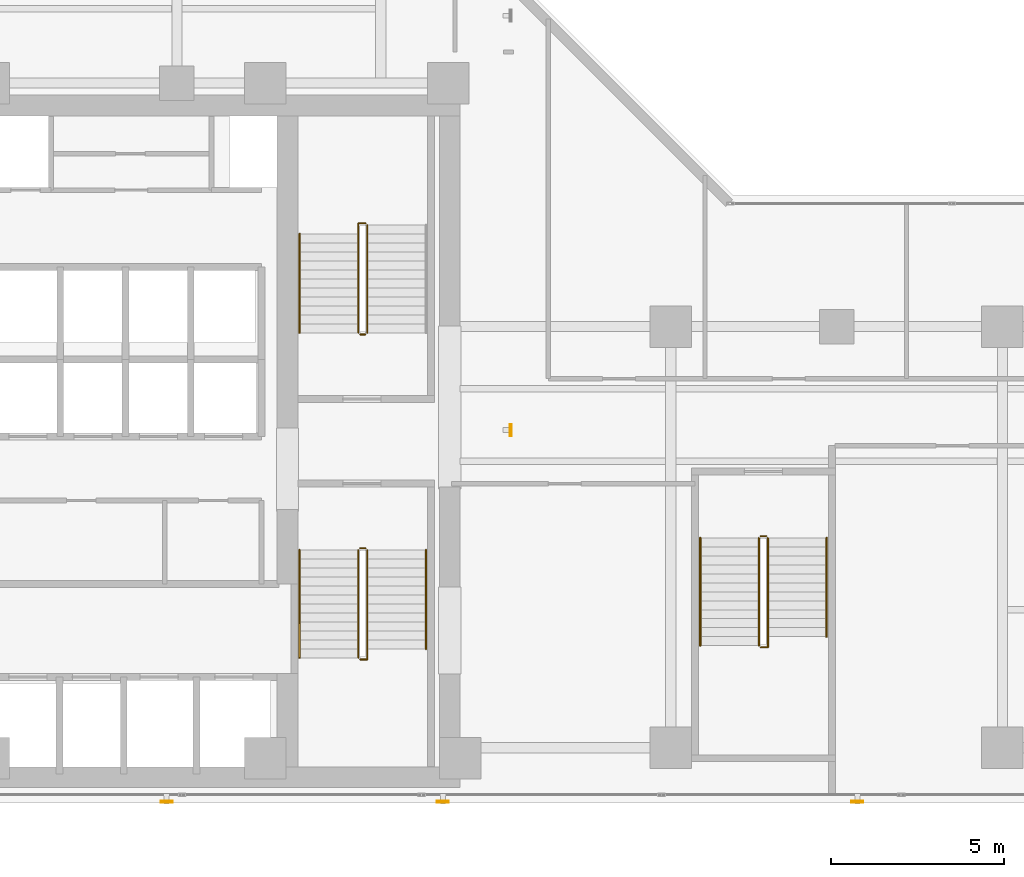
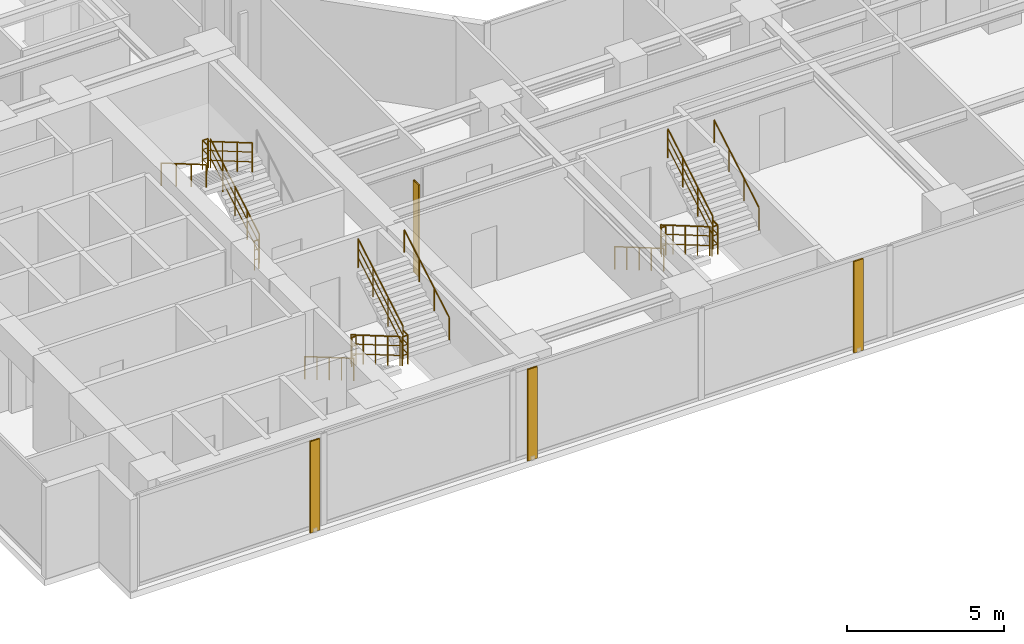
# One storey, part 23 of 26: 17 railings, 4 shading devices.
"""IFC4 building model written with IfcOpenShell, lengths in metres."""

import ifcopenshell
import ifcopenshell.guid

model = None  # the IFC model being written
_history = None  # IfcOwnerHistory: only IFC2X3 demands one
_inside = {}  # id of a spatial element -> (the spatial element, [elements in it])
_under = {}  # id of a project, library or spatial element -> (it, [spatial elements below it])
_declared = {}  # id of a project -> (the project, [libraries it declares])
_typed = {}  # id of a type object -> (the type object, [elements of that type])
_made_of = {}  # id of a material, layer set ... -> (it, [elements and type objects made of it])


def new_model(schema):
    """Start an empty IFC model of exactly this schema.

    Asked for "IFC4X3", IfcOpenShell would pick the latest addendum, in which some entities
    have other attributes; the version numbers below select the first issue.
    IFC2X3 requires an IfcOwnerHistory on every rooted entity: one is made here for all.
    """
    global model, _history
    if schema == "IFC4X3":
        model = ifcopenshell.file(schema_version=(4, 3, 0, 0))
    else:
        model = ifcopenshell.file(schema=schema)
    _inside.clear()
    _under.clear()
    _declared.clear()
    _typed.clear()
    _made_of.clear()
    _history = None
    if model.schema == "IFC2X3":
        org = make("IfcOrganization", Name="unknown")
        user = make(
            "IfcPersonAndOrganization",
            ThePerson=make("IfcPerson", FamilyName="unknown"),
            TheOrganization=org,
        )
        app = make(
            "IfcApplication",
            ApplicationDeveloper=org,
            Version="unknown",
            ApplicationFullName="unknown",
            ApplicationIdentifier="unknown",
        )
        _history = make(
            "IfcOwnerHistory",
            OwningUser=user,
            OwningApplication=app,
            ChangeAction="ADDED",
            CreationDate=0,
        )
    return model


def make(cls, **values):
    """One entity of the class cls with the attributes given. An attribute that is None is left unset."""
    return model.create_entity(
        cls, **{name: value for name, value in values.items() if value is not None}
    )


def rooted(cls, **values):
    """An entity with a GlobalId (a new one), such as an element, a storey or a relation."""
    return make(cls, GlobalId=ifcopenshell.guid.new(), OwnerHistory=_history, **values)


def si_unit(unit_type, name, prefix=None):
    """IfcSIUnit, for example si_unit("LENGTHUNIT", "METRE", prefix="MILLI")."""
    return make("IfcSIUnit", UnitType=unit_type, Prefix=prefix, Name=name)


def assignment(units):
    """IfcUnitAssignment: the units of a project."""
    return None if units is None else make("IfcUnitAssignment", Units=units)


def point(xyz):
    """IfcCartesianPoint."""
    return None if xyz is None else make("IfcCartesianPoint", Coordinates=xyz)


def direction(xyz):
    """IfcDirection."""
    return None if xyz is None else make("IfcDirection", DirectionRatios=xyz)


def frame(location, z_axis=None, x_axis=None):
    """IfcAxis2Placement3D, a coordinate frame: its origin and axes. An axis left out is left unset."""
    return make(
        "IfcAxis2Placement3D",
        Location=point(location),
        Axis=direction(z_axis),
        RefDirection=direction(x_axis),
    )


def frame_2d(location, x_axis=None):
    """IfcAxis2Placement2D, a coordinate frame in the plane: its origin and x axis."""
    return make(
        "IfcAxis2Placement2D", Location=point(location), RefDirection=direction(x_axis)
    )


def origin():
    """The frame at (0, 0, 0) with its axes left unset."""
    return frame((0.0, 0.0, 0.0))


def origin_2d():
    """The frame at (0, 0) in the plane with its x axis left unset."""
    return frame_2d((0.0, 0.0))


def place(relative_to, where):
    """IfcLocalPlacement: puts the frame where relative to a parent placement (None: the world)."""
    return make(
        "IfcLocalPlacement", PlacementRelTo=relative_to, RelativePlacement=where
    )


def context(
    kind, dimensions, precision=None, world=None, true_north=None, identifier=None
):
    """IfcGeometricRepresentationContext, for example the 3D "Model" context."""
    return make(
        "IfcGeometricRepresentationContext",
        ContextIdentifier=identifier,
        ContextType=kind,
        CoordinateSpaceDimension=dimensions,
        Precision=precision,
        WorldCoordinateSystem=world,
        TrueNorth=true_north,
    )


def subcontext(parent, identifier, kind, view, scale=None):
    """IfcGeometricRepresentationSubContext, for example "Body" below "Model"."""
    return make(
        "IfcGeometricRepresentationSubContext",
        ContextIdentifier=identifier,
        ContextType=kind,
        ParentContext=parent,
        TargetScale=scale,
        TargetView=view,
    )


def project(units=None, contexts=None):
    """IfcProject with its units and contexts."""
    return rooted(
        "IfcProject",
        Name="project",
        RepresentationContexts=contexts,
        UnitsInContext=assignment(units),
    )


def spatial(cls, under=None, at=None, **own):
    """A site, building, storey or space (cls), placed at a placement, below another one or the project."""
    s = rooted(cls, ObjectPlacement=at, **own)
    if under is not None:
        _under.setdefault(under.id(), (under, []))[1].append(s)
    return s


def profile(cls, at=None, kind="AREA", **sizes):
    """A parametric profile (cls). Its sizes go by their IFC names, for example OverallWidth=200.0."""
    return make(cls, ProfileType=kind, Position=at, **sizes)


def hollow_rectangle(**sizes):
    """IfcRectangleHollowProfileDef."""
    return profile("IfcRectangleHollowProfileDef", **sizes)


def circle(**sizes):
    """IfcCircleProfileDef."""
    return profile("IfcCircleProfileDef", **sizes)


def extrude(swept, where, along, depth):
    """IfcExtrudedAreaSolid: the profile swept, set in the frame where, extruded along a direction by depth."""
    return make(
        "IfcExtrudedAreaSolid",
        SweptArea=swept,
        Position=where,
        ExtrudedDirection=direction(along),
        Depth=depth,
    )


def shape(context_of_items, identifier, shape_type, items):
    """IfcShapeRepresentation: the items that make up one representation, for example the "Body"."""
    return make(
        "IfcShapeRepresentation",
        ContextOfItems=context_of_items,
        RepresentationIdentifier=identifier,
        RepresentationType=shape_type,
        Items=items,
    )


def material(Name=None, Category=None):
    """IfcMaterial."""
    return make("IfcMaterial", Name=Name, Category=Category)


def material_profile(
    of_material, cross_section, Name=None, Category=None, Priority=None
):
    """IfcMaterialProfile: a cross section and its material."""
    return make(
        "IfcMaterialProfile",
        Name=Name,
        Material=of_material,
        Profile=cross_section,
        Priority=Priority,
        Category=Category,
    )


def profile_set(profiles, Name=None, composite=None):
    """IfcMaterialProfileSet."""
    return make(
        "IfcMaterialProfileSet",
        Name=Name,
        MaterialProfiles=profiles,
        CompositeProfile=composite,
    )


def made_of(thing, what):
    """Note that an element or type object is made of a material, layer set ...; save() writes the relation."""
    if what is not None:
        _made_of.setdefault(what.id(), (what, []))[1].append(thing)
    return thing


def type_object(cls, material=None, **own):
    """A type object (cls), such as IfcWallType, which elements share."""
    return made_of(rooted(cls, **own), material)


def element(
    cls,
    number,
    at=None,
    inside=None,
    cuts=None,
    type_object=None,
    material=None,
    context=None,
    identifier="Body",
    shape_type=None,
    held_by="IfcProductDefinitionShape",
    body=None,
    shapes=None,
    **own,
):
    """One element of the class cls, such as IfcWall. Its Tag is "e" and its number.

    at: its placement. inside: the storey or other place that contains it. cuts: it is an
    opening in that element (IfcRelVoidsElement). A single representation is given by context,
    identifier, shape_type and body (its items); several are given by shapes. held_by: the class
    of the entity that holds the representations. save() writes the other relations.
    """
    e = rooted(cls, Tag="e%d" % number, ObjectPlacement=at, **own)
    if body is not None:
        shapes = [shape(context, identifier, shape_type, body)]
    if shapes is not None:
        e.Representation = make(held_by, Representations=shapes)
    if inside is not None:
        _inside.setdefault(inside.id(), (inside, []))[1].append(e)
    if cuts is not None:
        rooted(
            "IfcRelVoidsElement", RelatingBuildingElement=cuts, RelatedOpeningElement=e
        )
    if type_object is not None:
        _typed.setdefault(type_object.id(), (type_object, []))[1].append(e)
    return made_of(e, material)


def aggregate(whole, parts):
    """IfcRelAggregates: a whole, such as a stair, and the parts it consists of."""
    return rooted("IfcRelAggregates", RelatingObject=whole, RelatedObjects=parts)


def save(model, path):
    """Write the relations noted so far, then the file.

    IfcRelAggregates (storeys below a building ...), IfcRelContainedInSpatialStructure (elements
    in a storey), IfcRelDefinesByType, IfcRelAssociatesMaterial and IfcRelDeclares: one each for
    every whole, place, type object, material and project.
    """
    for whole, parts in _under.values():
        aggregate(whole, parts)
    for where, things in _inside.values():
        rooted(
            "IfcRelContainedInSpatialStructure",
            RelatedElements=things,
            RelatingStructure=where,
        )
    for kind, things in _typed.values():
        rooted("IfcRelDefinesByType", RelatedObjects=things, RelatingType=kind)
    for what, things in _made_of.values():
        rooted("IfcRelAssociatesMaterial", RelatedObjects=things, RelatingMaterial=what)
    for by, libraries in _declared.values():
        rooted("IfcRelDeclares", RelatingContext=by, RelatedDefinitions=libraries)
    model.write(path)


model = new_model("IFC4")

# Units and contexts
model_context = context("Model", 3, precision=1e-05, world=origin(), true_north=direction((0.0, 1.0)))
body_context = subcontext(model_context, "Body", "Model", "MODEL_VIEW")
ifc_project = project(units=[si_unit("LENGTHUNIT", "METRE"), si_unit("AREAUNIT", "SQUARE_METRE"), si_unit("VOLUMEUNIT", "CUBIC_METRE"), si_unit("PLANEANGLEUNIT", "RADIAN"), si_unit("MASSUNIT", "GRAM", prefix="KILO")], contexts=[model_context])

# Site, building, storey
site_placement = place(None, origin())
site = spatial("IfcSite", under=ifc_project, at=site_placement, CompositionType="ELEMENT")
building_placement = place(site_placement, origin())
building = spatial("IfcBuilding", under=site, at=building_placement, Name="Kolvaren Waterfront Exchange", CompositionType="ELEMENT")
storey_placement = place(building_placement, frame((0.0, 0.0, 150.0)))
storey = spatial("IfcBuildingStorey", under=building, at=storey_placement, Name="L38", CompositionType="ELEMENT", Elevation=150.0)

# Shading devices
ifc_material_1 = material(Name="Anodised bronze aluminium 6063-T6", Category="aluminium")
ifc_material_profile = material_profile(ifc_material_1, hollow_rectangle(XDim=0.06005859375, YDim=0.35009765625, WallThickness=0.0048828125, at=origin_2d()), Name="BRZ-FIN-350x60x5")
ifc_profile_set = profile_set([ifc_material_profile], Name="Anodised bronze aluminium 6063-T6")
shading_device_type = type_object("IfcShadingDeviceType", Name="ARC-FIN-350", PredefinedType="USERDEFINED", material=ifc_profile_set)
for number, where, z_axis, x_axis, name in (
    (1, (12.60009765625, 3.639892578125, 0.0), (0.0, 0.0, 1.0), (0.0, -1.0, 0.0), "L38 anodised bronze solar shading fin FIN-L38-S1"),
    (2, (20.60009765625, 3.639892578125, 0.0), (0.0, 0.0, 1.0), (0.0, -1.0, 0.0), "L38 anodised bronze solar shading fin FIN-L38-S2"),
    (3, (32.60009765625, 3.639892578125, 0.0), (0.0, 0.0, 1.0), (0.0, -1.0, 0.0), "L38 anodised bronze solar shading fin FIN-L38-S3"),
    (4, (22.56005859375, 14.39990234375, 0.0), (0.0, 0.0, 1.0), (1.0, 0.0, 0.0), "L38 anodised bronze solar shading fin FIN-L38-E1"),
):
    element("IfcShadingDevice", number, at=place(storey_placement, frame(where, z_axis=z_axis, x_axis=x_axis)), inside=storey, type_object=shading_device_type, Name=name, ObjectType="SOLAR FIN", PredefinedType="USERDEFINED", context=body_context, shape_type="SweptSolid", body=[
        extrude(hollow_rectangle(XDim=0.06005859375, YDim=0.35009765625, WallThickness=0.0048828125, at=origin_2d()), origin(), (0.0, 0.0, 1.0), 3.56005859375),
    ])

# Railings
ifc_material_2 = material(Name="Stainless steel 316", Category="steel")
railing_type_1 = type_object("IfcRailingType", Name="ARC-GUARD-STAIR", PredefinedType="GUARDRAIL", material=ifc_material_2)
railing_1_placement = place(storey_placement, frame((18.14990234375, 10.929931640625, 0.152099609375)))
element("IfcRailing", 5, at=railing_1_placement, inside=storey, type_object=railing_type_1, Name="L38 ST1 stair guard 1", PredefinedType="GUARDRAIL", context=body_context, shape_type="SweptSolid", body=[
    extrude(circle(Radius=0.02392578125, at=origin_2d()), frame((0.0, 0.0, 1.1259765625), z_axis=(0.0, -0.86329090724, 0.504706656858), x_axis=(1.0, 0.0, 0.0)), (0.0, 0.0, 1.0), 3.614013671875),
    extrude(circle(Radius=0.01611328125, at=origin_2d()), frame((0.0, 0.0, 0.390869140625), z_axis=(0.0, -0.86329090724, 0.504706656858), x_axis=(1.0, 0.0, 0.0)), (0.0, 0.0, 1.0), 3.614013671875),
    extrude(circle(Radius=0.01611328125, at=origin_2d()), frame((0.0, 0.0, 0.7705078125), z_axis=(0.0, -0.86329090724, 0.504706656858), x_axis=(1.0, 0.0, 0.0)), (0.0, 0.0, 1.0), 3.614013671875),
    extrude(circle(Radius=0.02099609375, at=origin_2d()), origin(), (0.0, 0.0, 1.0), 1.101806640625),
    extrude(circle(Radius=0.02099609375, at=origin_2d()), frame((0.0, -0.780029296875, 0.4560546875)), (0.0, 0.0, 1.0), 1.101806640625),
    extrude(circle(Radius=0.02099609375, at=origin_2d()), frame((0.0, -1.56005859375, 0.912109375)), (0.0, 0.0, 1.0), 1.101806640625),
    extrude(circle(Radius=0.02099609375, at=origin_2d()), frame((0.0, -2.33984375, 1.367919921875)), (0.0, 0.0, 1.0), 1.101806640625),
    extrude(circle(Radius=0.02099609375, at=origin_2d()), frame((0.0, -3.119873046875, 1.823974609375)), (0.0, 0.0, 1.0), 1.101806640625),
])
railing_2_placement = place(storey_placement, frame((18.199951171875, 7.760009765625, 1.97607421875)))
element("IfcRailing", 6, at=railing_2_placement, inside=storey, type_object=railing_type_1, Name="L38 ST1 stair guard 2", PredefinedType="GUARDRAIL", context=body_context, shape_type="SweptSolid", body=[
    extrude(circle(Radius=0.02392578125, at=origin_2d()), frame((0.0, 0.0, 1.1259765625), z_axis=(1.0, 0.0, 0.0), x_axis=(0.0, 1.0, 0.0)), (0.0, 0.0, 1.0), 0.2099609375),
    extrude(circle(Radius=0.01611328125, at=origin_2d()), frame((0.0, 0.0, 0.390869140625), z_axis=(1.0, 0.0, 0.0), x_axis=(0.0, 1.0, 0.0)), (0.0, 0.0, 1.0), 0.2099609375),
    extrude(circle(Radius=0.01611328125, at=origin_2d()), frame((0.0, 0.0, 0.7705078125), z_axis=(1.0, 0.0, 0.0), x_axis=(0.0, 1.0, 0.0)), (0.0, 0.0, 1.0), 0.2099609375),
    extrude(circle(Radius=0.02392578125, at=origin_2d()), frame((0.2099609375, 0.0, 1.1259765625), z_axis=(0.0, 1.0, 0.0), x_axis=(-1.0, 0.0, 0.0)), (0.0, 0.0, 1.0), 0.31005859375),
    extrude(circle(Radius=0.01611328125, at=origin_2d()), frame((0.2099609375, 0.0, 0.390869140625), z_axis=(0.0, 1.0, 0.0), x_axis=(-1.0, 0.0, 0.0)), (0.0, 0.0, 1.0), 0.31005859375),
    extrude(circle(Radius=0.01611328125, at=origin_2d()), frame((0.2099609375, 0.0, 0.7705078125), z_axis=(0.0, 1.0, 0.0), x_axis=(-1.0, 0.0, 0.0)), (0.0, 0.0, 1.0), 0.31005859375),
    extrude(circle(Radius=0.02099609375, at=origin_2d()), origin(), (0.0, 0.0, 1.0), 1.101806640625),
    extrude(circle(Radius=0.02099609375, at=origin_2d()), frame((0.2099609375, 0.0, 0.0)), (0.0, 0.0, 1.0), 1.101806640625),
    extrude(circle(Radius=0.02099609375, at=origin_2d()), frame((0.2099609375, 0.31005859375, 0.0)), (0.0, 0.0, 1.0), 1.101806640625),
])
railing_3_placement = place(storey_placement, frame((18.409912109375, 8.070068359375, 2.1279296875)))
element("IfcRailing", 7, at=railing_3_placement, inside=storey, type_object=railing_type_1, Name="L38 ST1 stair guard 3", PredefinedType="GUARDRAIL", context=body_context, shape_type="SweptSolid", body=[
    extrude(circle(Radius=0.02392578125, at=origin_2d()), frame((0.0, 0.0, 1.1259765625), z_axis=(0.0, 0.863270611444, 0.50474137082), x_axis=(-1.0, 0.0, 0.0)), (0.0, 0.0, 1.0), 3.312744140625),
    extrude(circle(Radius=0.01611328125, at=origin_2d()), frame((0.0, 0.0, 0.390869140625), z_axis=(0.0, 0.863270611444, 0.50474137082), x_axis=(-1.0, 0.0, 0.0)), (0.0, 0.0, 1.0), 3.312744140625),
    extrude(circle(Radius=0.01611328125, at=origin_2d()), frame((0.0, 0.0, 0.7705078125), z_axis=(0.0, 0.863270611444, 0.50474137082), x_axis=(-1.0, 0.0, 0.0)), (0.0, 0.0, 1.0), 3.312744140625),
    extrude(circle(Radius=0.02099609375, at=origin_2d()), origin(), (0.0, 0.0, 1.0), 1.101806640625),
    extrude(circle(Radius=0.02099609375, at=origin_2d()), frame((0.0, 0.953369140625, 0.557373046875)), (0.0, 0.0, 1.0), 1.101806640625),
    extrude(circle(Radius=0.02099609375, at=origin_2d()), frame((0.0, 1.906494140625, 1.11474609375)), (0.0, 0.0, 1.0), 1.101806640625),
    extrude(circle(Radius=0.02099609375, at=origin_2d()), frame((0.0, 2.85986328125, 1.672119140625)), (0.0, 0.0, 1.0), 1.101806640625),
])
railing_4_placement = place(storey_placement, frame((18.199951171875, 10.97998046875, 0.0)))
element("IfcRailing", 8, at=railing_4_placement, inside=storey, type_object=railing_type_1, Name="L38 ST1 stair guard 4", PredefinedType="GUARDRAIL", context=body_context, shape_type="SweptSolid", body=[
    extrude(circle(Radius=0.02392578125, at=origin_2d()), frame((0.0, 0.0, 1.1259765625), z_axis=(1.0, 0.0, 0.0), x_axis=(0.0, 1.0, 0.0)), (0.0, 0.0, 1.0), 0.16015625),
    extrude(circle(Radius=0.01611328125, at=origin_2d()), frame((0.0, 0.0, 0.390869140625), z_axis=(1.0, 0.0, 0.0), x_axis=(0.0, 1.0, 0.0)), (0.0, 0.0, 1.0), 0.16015625),
    extrude(circle(Radius=0.01611328125, at=origin_2d()), frame((0.0, 0.0, 0.7705078125), z_axis=(1.0, 0.0, 0.0), x_axis=(0.0, 1.0, 0.0)), (0.0, 0.0, 1.0), 0.16015625),
    extrude(circle(Radius=0.02099609375, at=origin_2d()), origin(), (0.0, 0.0, 1.0), 1.101806640625),
    extrude(circle(Radius=0.02099609375, at=origin_2d()), frame((0.16015625, 0.0, 0.0)), (0.0, 0.0, 1.0), 1.101806640625),
])
railing_5_placement = place(storey_placement, frame((18.409912109375, 17.219970703125, 0.152099609375)))
element("IfcRailing", 9, at=railing_5_placement, inside=storey, type_object=railing_type_1, Name="L38 ST2 stair guard 1", PredefinedType="GUARDRAIL", context=body_context, shape_type="SweptSolid", body=[
    extrude(circle(Radius=0.02392578125, at=origin_2d()), frame((0.0, 0.0, 1.1259765625), z_axis=(0.0, 0.86330811405, 0.504677223793), x_axis=(-1.0, 0.0, 0.0)), (0.0, 0.0, 1.0), 3.6142578125),
    extrude(circle(Radius=0.01611328125, at=origin_2d()), frame((0.0, 0.0, 0.390869140625), z_axis=(0.0, 0.86330811405, 0.504677223793), x_axis=(-1.0, 0.0, 0.0)), (0.0, 0.0, 1.0), 3.6142578125),
    extrude(circle(Radius=0.01611328125, at=origin_2d()), frame((0.0, 0.0, 0.7705078125), z_axis=(0.0, 0.86330811405, 0.504677223793), x_axis=(-1.0, 0.0, 0.0)), (0.0, 0.0, 1.0), 3.6142578125),
    extrude(circle(Radius=0.02099609375, at=origin_2d()), origin(), (0.0, 0.0, 1.0), 1.101806640625),
    extrude(circle(Radius=0.02099609375, at=origin_2d()), frame((0.0, 0.780029296875, 0.4560546875)), (0.0, 0.0, 1.0), 1.101806640625),
    extrude(circle(Radius=0.02099609375, at=origin_2d()), frame((0.0, 1.56005859375, 0.912109375)), (0.0, 0.0, 1.0), 1.101806640625),
    extrude(circle(Radius=0.02099609375, at=origin_2d()), frame((0.0, 2.340087890625, 1.367919921875)), (0.0, 0.0, 1.0), 1.101806640625),
    extrude(circle(Radius=0.02099609375, at=origin_2d()), frame((0.0, 3.1201171875, 1.823974609375)), (0.0, 0.0, 1.0), 1.101806640625),
])
railing_6_placement = place(storey_placement, frame((18.360107421875, 20.389892578125, 1.97607421875)))
element("IfcRailing", 10, at=railing_6_placement, inside=storey, type_object=railing_type_1, Name="L38 ST2 stair guard 2", PredefinedType="GUARDRAIL", context=body_context, shape_type="SweptSolid", body=[
    extrude(circle(Radius=0.02392578125, at=origin_2d()), frame((0.0, 0.0, 1.1259765625), z_axis=(-1.0, 0.0, 0.0), x_axis=(0.0, -1.0, 0.0)), (0.0, 0.0, 1.0), 0.210205078125),
    extrude(circle(Radius=0.01611328125, at=origin_2d()), frame((0.0, 0.0, 0.390869140625), z_axis=(-1.0, 0.0, 0.0), x_axis=(0.0, -1.0, 0.0)), (0.0, 0.0, 1.0), 0.210205078125),
    extrude(circle(Radius=0.01611328125, at=origin_2d()), frame((0.0, 0.0, 0.7705078125), z_axis=(-1.0, 0.0, 0.0), x_axis=(0.0, -1.0, 0.0)), (0.0, 0.0, 1.0), 0.210205078125),
    extrude(circle(Radius=0.02392578125, at=origin_2d()), frame((-0.210205078125, 0.0, 1.1259765625), z_axis=(0.0, -1.0, 0.0), x_axis=(1.0, 0.0, 0.0)), (0.0, 0.0, 1.0), 0.309814453125),
    extrude(circle(Radius=0.01611328125, at=origin_2d()), frame((-0.210205078125, 0.0, 0.390869140625), z_axis=(0.0, -1.0, 0.0), x_axis=(1.0, 0.0, 0.0)), (0.0, 0.0, 1.0), 0.309814453125),
    extrude(circle(Radius=0.01611328125, at=origin_2d()), frame((-0.210205078125, 0.0, 0.7705078125), z_axis=(0.0, -1.0, 0.0), x_axis=(1.0, 0.0, 0.0)), (0.0, 0.0, 1.0), 0.309814453125),
    extrude(circle(Radius=0.02099609375, at=origin_2d()), origin(), (0.0, 0.0, 1.0), 1.101806640625),
    extrude(circle(Radius=0.02099609375, at=origin_2d()), frame((-0.210205078125, 0.0, 0.0)), (0.0, 0.0, 1.0), 1.101806640625),
    extrude(circle(Radius=0.02099609375, at=origin_2d()), frame((-0.210205078125, -0.309814453125, 0.0)), (0.0, 0.0, 1.0), 1.101806640625),
])
railing_7_placement = place(storey_placement, frame((18.14990234375, 20.080078125, 2.1279296875)))
element("IfcRailing", 11, at=railing_7_placement, inside=storey, type_object=railing_type_1, Name="L38 ST2 stair guard 3", PredefinedType="GUARDRAIL", context=body_context, shape_type="SweptSolid", body=[
    extrude(circle(Radius=0.02392578125, at=origin_2d()), frame((0.0, 0.0, 1.1259765625), z_axis=(0.0, -0.863289384635, 0.504709261235), x_axis=(1.0, 0.0, 0.0)), (0.0, 0.0, 1.0), 3.31298828125),
    extrude(circle(Radius=0.01611328125, at=origin_2d()), frame((0.0, 0.0, 0.390869140625), z_axis=(0.0, -0.863289384635, 0.504709261235), x_axis=(1.0, 0.0, 0.0)), (0.0, 0.0, 1.0), 3.31298828125),
    extrude(circle(Radius=0.01611328125, at=origin_2d()), frame((0.0, 0.0, 0.7705078125), z_axis=(0.0, -0.863289384635, 0.504709261235), x_axis=(1.0, 0.0, 0.0)), (0.0, 0.0, 1.0), 3.31298828125),
    extrude(circle(Radius=0.02099609375, at=origin_2d()), origin(), (0.0, 0.0, 1.0), 1.101806640625),
    extrude(circle(Radius=0.02099609375, at=origin_2d()), frame((0.0, -0.953369140625, 0.557373046875)), (0.0, 0.0, 1.0), 1.101806640625),
    extrude(circle(Radius=0.02099609375, at=origin_2d()), frame((0.0, -1.90673828125, 1.11474609375)), (0.0, 0.0, 1.0), 1.101806640625),
    extrude(circle(Radius=0.02099609375, at=origin_2d()), frame((0.0, -2.860107421875, 1.672119140625)), (0.0, 0.0, 1.0), 1.101806640625),
])
railing_8_placement = place(storey_placement, frame((18.360107421875, 17.169921875, 0.0)))
element("IfcRailing", 12, at=railing_8_placement, inside=storey, type_object=railing_type_1, Name="L38 ST2 stair guard 4", PredefinedType="GUARDRAIL", context=body_context, shape_type="SweptSolid", body=[
    extrude(circle(Radius=0.02392578125, at=origin_2d()), frame((0.0, 0.0, 1.1259765625), z_axis=(-1.0, 0.0, 0.0), x_axis=(0.0, -1.0, 0.0)), (0.0, 0.0, 1.0), 0.16015625),
    extrude(circle(Radius=0.01611328125, at=origin_2d()), frame((0.0, 0.0, 0.390869140625), z_axis=(-1.0, 0.0, 0.0), x_axis=(0.0, -1.0, 0.0)), (0.0, 0.0, 1.0), 0.16015625),
    extrude(circle(Radius=0.01611328125, at=origin_2d()), frame((0.0, 0.0, 0.7705078125), z_axis=(-1.0, 0.0, 0.0), x_axis=(0.0, -1.0, 0.0)), (0.0, 0.0, 1.0), 0.16015625),
    extrude(circle(Radius=0.02099609375, at=origin_2d()), origin(), (0.0, 0.0, 1.0), 1.101806640625),
    extrude(circle(Radius=0.02099609375, at=origin_2d()), frame((-0.16015625, 0.0, 0.0)), (0.0, 0.0, 1.0), 1.101806640625),
])
railing_9_placement = place(storey_placement, frame((29.75, 11.280029296875, 0.152099609375)))
element("IfcRailing", 13, at=railing_9_placement, inside=storey, type_object=railing_type_1, Name="L38 ST3 stair guard 1", PredefinedType="GUARDRAIL", context=body_context, shape_type="SweptSolid", body=[
    extrude(circle(Radius=0.02392578125, at=origin_2d()), frame((0.0, 0.0, 1.1259765625), z_axis=(0.0, -0.86330811405, 0.504677223793), x_axis=(1.0, 0.0, 0.0)), (0.0, 0.0, 1.0), 3.6142578125),
    extrude(circle(Radius=0.01611328125, at=origin_2d()), frame((0.0, 0.0, 0.390869140625), z_axis=(0.0, -0.86330811405, 0.504677223793), x_axis=(1.0, 0.0, 0.0)), (0.0, 0.0, 1.0), 3.6142578125),
    extrude(circle(Radius=0.01611328125, at=origin_2d()), frame((0.0, 0.0, 0.7705078125), z_axis=(0.0, -0.86330811405, 0.504677223793), x_axis=(1.0, 0.0, 0.0)), (0.0, 0.0, 1.0), 3.6142578125),
    extrude(circle(Radius=0.02099609375, at=origin_2d()), origin(), (0.0, 0.0, 1.0), 1.101806640625),
    extrude(circle(Radius=0.02099609375, at=origin_2d()), frame((0.0, -0.780029296875, 0.4560546875)), (0.0, 0.0, 1.0), 1.101806640625),
    extrude(circle(Radius=0.02099609375, at=origin_2d()), frame((0.0, -1.56005859375, 0.912109375)), (0.0, 0.0, 1.0), 1.101806640625),
    extrude(circle(Radius=0.02099609375, at=origin_2d()), frame((0.0, -2.340087890625, 1.367919921875)), (0.0, 0.0, 1.0), 1.101806640625),
    extrude(circle(Radius=0.02099609375, at=origin_2d()), frame((0.0, -3.1201171875, 1.823974609375)), (0.0, 0.0, 1.0), 1.101806640625),
])
railing_10_placement = place(storey_placement, frame((29.800048828125, 8.110107421875, 1.97607421875)))
element("IfcRailing", 14, at=railing_10_placement, inside=storey, type_object=railing_type_1, Name="L38 ST3 stair guard 2", PredefinedType="GUARDRAIL", context=body_context, shape_type="SweptSolid", body=[
    extrude(circle(Radius=0.02392578125, at=origin_2d()), frame((0.0, 0.0, 1.1259765625), z_axis=(1.0, 0.0, 0.0), x_axis=(0.0, 1.0, 0.0)), (0.0, 0.0, 1.0), 0.2099609375),
    extrude(circle(Radius=0.01611328125, at=origin_2d()), frame((0.0, 0.0, 0.390869140625), z_axis=(1.0, 0.0, 0.0), x_axis=(0.0, 1.0, 0.0)), (0.0, 0.0, 1.0), 0.2099609375),
    extrude(circle(Radius=0.01611328125, at=origin_2d()), frame((0.0, 0.0, 0.7705078125), z_axis=(1.0, 0.0, 0.0), x_axis=(0.0, 1.0, 0.0)), (0.0, 0.0, 1.0), 0.2099609375),
    extrude(circle(Radius=0.02392578125, at=origin_2d()), frame((0.2099609375, 0.0, 1.1259765625), z_axis=(0.0, 1.0, 0.0), x_axis=(-1.0, 0.0, 0.0)), (0.0, 0.0, 1.0), 0.309814453125),
    extrude(circle(Radius=0.01611328125, at=origin_2d()), frame((0.2099609375, 0.0, 0.390869140625), z_axis=(0.0, 1.0, 0.0), x_axis=(-1.0, 0.0, 0.0)), (0.0, 0.0, 1.0), 0.309814453125),
    extrude(circle(Radius=0.01611328125, at=origin_2d()), frame((0.2099609375, 0.0, 0.7705078125), z_axis=(0.0, 1.0, 0.0), x_axis=(-1.0, 0.0, 0.0)), (0.0, 0.0, 1.0), 0.309814453125),
    extrude(circle(Radius=0.02099609375, at=origin_2d()), origin(), (0.0, 0.0, 1.0), 1.101806640625),
    extrude(circle(Radius=0.02099609375, at=origin_2d()), frame((0.2099609375, 0.0, 0.0)), (0.0, 0.0, 1.0), 1.101806640625),
    extrude(circle(Radius=0.02099609375, at=origin_2d()), frame((0.2099609375, 0.309814453125, 0.0)), (0.0, 0.0, 1.0), 1.101806640625),
])
railing_11_placement = place(storey_placement, frame((30.010009765625, 8.419921875, 2.1279296875)))
element("IfcRailing", 15, at=railing_11_placement, inside=storey, type_object=railing_type_1, Name="L38 ST3 stair guard 3", PredefinedType="GUARDRAIL", context=body_context, shape_type="SweptSolid", body=[
    extrude(circle(Radius=0.02392578125, at=origin_2d()), frame((0.0, 0.0, 1.1259765625), z_axis=(0.0, 0.863289384635, 0.504709261235), x_axis=(-1.0, 0.0, 0.0)), (0.0, 0.0, 1.0), 3.31298828125),
    extrude(circle(Radius=0.01611328125, at=origin_2d()), frame((0.0, 0.0, 0.390869140625), z_axis=(0.0, 0.863289384635, 0.504709261235), x_axis=(-1.0, 0.0, 0.0)), (0.0, 0.0, 1.0), 3.31298828125),
    extrude(circle(Radius=0.01611328125, at=origin_2d()), frame((0.0, 0.0, 0.7705078125), z_axis=(0.0, 0.863289384635, 0.504709261235), x_axis=(-1.0, 0.0, 0.0)), (0.0, 0.0, 1.0), 3.31298828125),
    extrude(circle(Radius=0.02099609375, at=origin_2d()), origin(), (0.0, 0.0, 1.0), 1.101806640625),
    extrude(circle(Radius=0.02099609375, at=origin_2d()), frame((0.0, 0.953369140625, 0.557373046875)), (0.0, 0.0, 1.0), 1.101806640625),
    extrude(circle(Radius=0.02099609375, at=origin_2d()), frame((0.0, 1.90673828125, 1.11474609375)), (0.0, 0.0, 1.0), 1.101806640625),
    extrude(circle(Radius=0.02099609375, at=origin_2d()), frame((0.0, 2.860107421875, 1.672119140625)), (0.0, 0.0, 1.0), 1.101806640625),
])
railing_12_placement = place(storey_placement, frame((29.800048828125, 11.330078125, 0.0)))
element("IfcRailing", 16, at=railing_12_placement, inside=storey, type_object=railing_type_1, Name="L38 ST3 stair guard 4", PredefinedType="GUARDRAIL", context=body_context, shape_type="SweptSolid", body=[
    extrude(circle(Radius=0.02392578125, at=origin_2d()), frame((0.0, 0.0, 1.1259765625), z_axis=(1.0, 0.0, 0.0), x_axis=(0.0, 1.0, 0.0)), (0.0, 0.0, 1.0), 0.159912109375),
    extrude(circle(Radius=0.01611328125, at=origin_2d()), frame((0.0, 0.0, 0.390869140625), z_axis=(1.0, 0.0, 0.0), x_axis=(0.0, 1.0, 0.0)), (0.0, 0.0, 1.0), 0.159912109375),
    extrude(circle(Radius=0.01611328125, at=origin_2d()), frame((0.0, 0.0, 0.7705078125), z_axis=(1.0, 0.0, 0.0), x_axis=(0.0, 1.0, 0.0)), (0.0, 0.0, 1.0), 0.159912109375),
    extrude(circle(Radius=0.02099609375, at=origin_2d()), origin(), (0.0, 0.0, 1.0), 1.101806640625),
    extrude(circle(Radius=0.02099609375, at=origin_2d()), frame((0.159912109375, 0.0, 0.0)), (0.0, 0.0, 1.0), 1.101806640625),
])
railing_type_2 = type_object("IfcRailingType", Name="ARC-HANDRAIL-900", PredefinedType="HANDRAIL", material=ifc_material_2)
railing_13_placement = place(storey_placement, frame((16.449951171875, 10.929931640625, 0.152099609375)))
element("IfcRailing", 17, at=railing_13_placement, inside=storey, type_object=railing_type_2, Name="L38 ST1 stair handrail 1", PredefinedType="HANDRAIL", context=body_context, shape_type="SweptSolid", body=[
    extrude(circle(Radius=0.02392578125, at=origin_2d()), frame((0.0, 0.0, 0.8759765625), z_axis=(0.0, -0.86329090724, 0.504706656858), x_axis=(1.0, 0.0, 0.0)), (0.0, 0.0, 1.0), 3.614013671875),
    extrude(circle(Radius=0.02099609375, at=origin_2d()), origin(), (0.0, 0.0, 1.0), 0.851806640625),
    extrude(circle(Radius=0.02099609375, at=origin_2d()), frame((0.0, -0.780029296875, 0.4560546875)), (0.0, 0.0, 1.0), 0.851806640625),
    extrude(circle(Radius=0.02099609375, at=origin_2d()), frame((0.0, -1.56005859375, 0.912109375)), (0.0, 0.0, 1.0), 0.851806640625),
    extrude(circle(Radius=0.02099609375, at=origin_2d()), frame((0.0, -2.33984375, 1.367919921875)), (0.0, 0.0, 1.0), 0.851806640625),
    extrude(circle(Radius=0.02099609375, at=origin_2d()), frame((0.0, -3.119873046875, 1.823974609375)), (0.0, 0.0, 1.0), 0.851806640625),
])
railing_14_placement = place(storey_placement, frame((20.110107421875, 8.070068359375, 2.1279296875)))
element("IfcRailing", 18, at=railing_14_placement, inside=storey, type_object=railing_type_2, Name="L38 ST1 stair handrail 2", PredefinedType="HANDRAIL", context=body_context, shape_type="SweptSolid", body=[
    extrude(circle(Radius=0.02392578125, at=origin_2d()), frame((0.0, 0.0, 0.8759765625), z_axis=(0.0, 0.863270611444, 0.50474137082), x_axis=(-1.0, 0.0, 0.0)), (0.0, 0.0, 1.0), 3.312744140625),
    extrude(circle(Radius=0.02099609375, at=origin_2d()), origin(), (0.0, 0.0, 1.0), 0.851806640625),
    extrude(circle(Radius=0.02099609375, at=origin_2d()), frame((0.0, 0.953369140625, 0.557373046875)), (0.0, 0.0, 1.0), 0.851806640625),
    extrude(circle(Radius=0.02099609375, at=origin_2d()), frame((0.0, 1.906494140625, 1.11474609375)), (0.0, 0.0, 1.0), 0.851806640625),
    extrude(circle(Radius=0.02099609375, at=origin_2d()), frame((0.0, 2.85986328125, 1.672119140625)), (0.0, 0.0, 1.0), 0.851806640625),
])
railing_15_placement = place(storey_placement, frame((16.449951171875, 20.080078125, 2.1279296875)))
element("IfcRailing", 19, at=railing_15_placement, inside=storey, type_object=railing_type_2, Name="L38 ST2 stair handrail 2", PredefinedType="HANDRAIL", context=body_context, shape_type="SweptSolid", body=[
    extrude(circle(Radius=0.02392578125, at=origin_2d()), frame((0.0, 0.0, 0.8759765625), z_axis=(0.0, -0.863289384635, 0.504709261235), x_axis=(1.0, 0.0, 0.0)), (0.0, 0.0, 1.0), 3.31298828125),
    extrude(circle(Radius=0.02099609375, at=origin_2d()), origin(), (0.0, 0.0, 1.0), 0.851806640625),
    extrude(circle(Radius=0.02099609375, at=origin_2d()), frame((0.0, -0.953369140625, 0.557373046875)), (0.0, 0.0, 1.0), 0.851806640625),
    extrude(circle(Radius=0.02099609375, at=origin_2d()), frame((0.0, -1.90673828125, 1.11474609375)), (0.0, 0.0, 1.0), 0.851806640625),
    extrude(circle(Radius=0.02099609375, at=origin_2d()), frame((0.0, -2.860107421875, 1.672119140625)), (0.0, 0.0, 1.0), 0.851806640625),
])
railing_16_placement = place(storey_placement, frame((28.050048828125, 11.280029296875, 0.152099609375)))
element("IfcRailing", 20, at=railing_16_placement, inside=storey, type_object=railing_type_2, Name="L38 ST3 stair handrail 1", PredefinedType="HANDRAIL", context=body_context, shape_type="SweptSolid", body=[
    extrude(circle(Radius=0.02392578125, at=origin_2d()), frame((0.0, 0.0, 0.8759765625), z_axis=(0.0, -0.86330811405, 0.504677223793), x_axis=(1.0, 0.0, 0.0)), (0.0, 0.0, 1.0), 3.6142578125),
    extrude(circle(Radius=0.02099609375, at=origin_2d()), origin(), (0.0, 0.0, 1.0), 0.851806640625),
    extrude(circle(Radius=0.02099609375, at=origin_2d()), frame((0.0, -0.780029296875, 0.4560546875)), (0.0, 0.0, 1.0), 0.851806640625),
    extrude(circle(Radius=0.02099609375, at=origin_2d()), frame((0.0, -1.56005859375, 0.912109375)), (0.0, 0.0, 1.0), 0.851806640625),
    extrude(circle(Radius=0.02099609375, at=origin_2d()), frame((0.0, -2.340087890625, 1.367919921875)), (0.0, 0.0, 1.0), 0.851806640625),
    extrude(circle(Radius=0.02099609375, at=origin_2d()), frame((0.0, -3.1201171875, 1.823974609375)), (0.0, 0.0, 1.0), 0.851806640625),
])
railing_17_placement = place(storey_placement, frame((31.7099609375, 8.419921875, 2.1279296875)))
element("IfcRailing", 21, at=railing_17_placement, inside=storey, type_object=railing_type_2, Name="L38 ST3 stair handrail 2", PredefinedType="HANDRAIL", context=body_context, shape_type="SweptSolid", body=[
    extrude(circle(Radius=0.02392578125, at=origin_2d()), frame((0.0, 0.0, 0.8759765625), z_axis=(0.0, 0.863289384635, 0.504709261235), x_axis=(-1.0, 0.0, 0.0)), (0.0, 0.0, 1.0), 3.31298828125),
    extrude(circle(Radius=0.02099609375, at=origin_2d()), origin(), (0.0, 0.0, 1.0), 0.851806640625),
    extrude(circle(Radius=0.02099609375, at=origin_2d()), frame((0.0, 0.953369140625, 0.557373046875)), (0.0, 0.0, 1.0), 0.851806640625),
    extrude(circle(Radius=0.02099609375, at=origin_2d()), frame((0.0, 1.90673828125, 1.11474609375)), (0.0, 0.0, 1.0), 0.851806640625),
    extrude(circle(Radius=0.02099609375, at=origin_2d()), frame((0.0, 2.860107421875, 1.672119140625)), (0.0, 0.0, 1.0), 0.851806640625),
])

save(model, "model.ifc")
